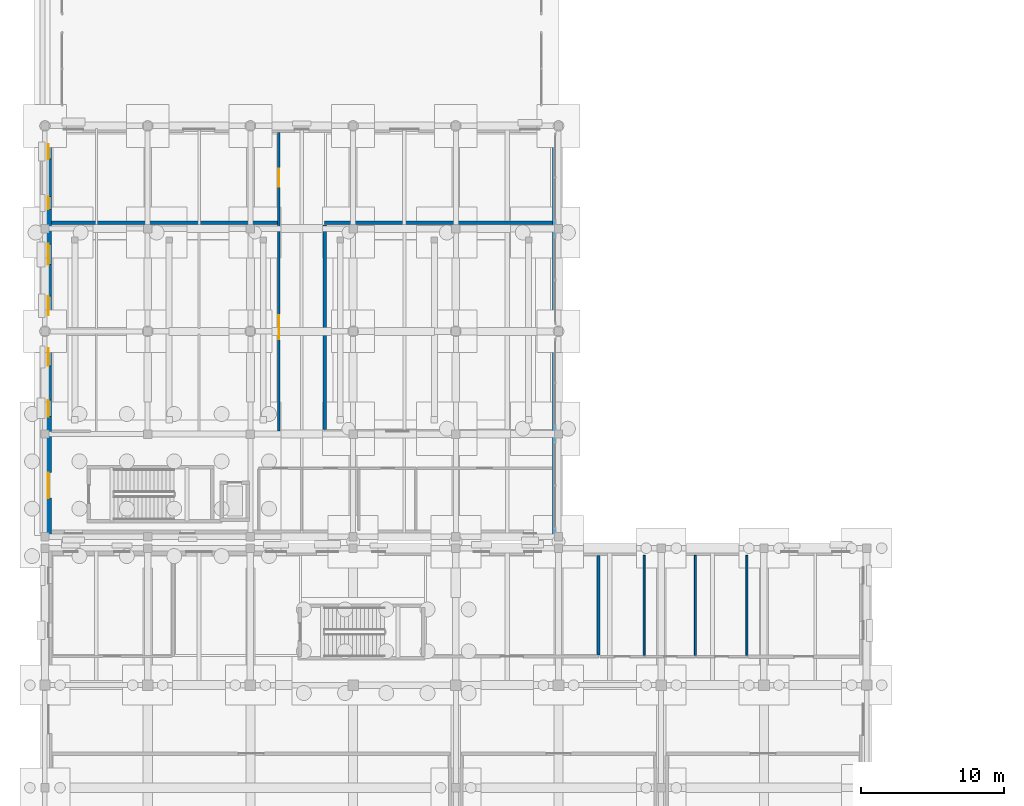
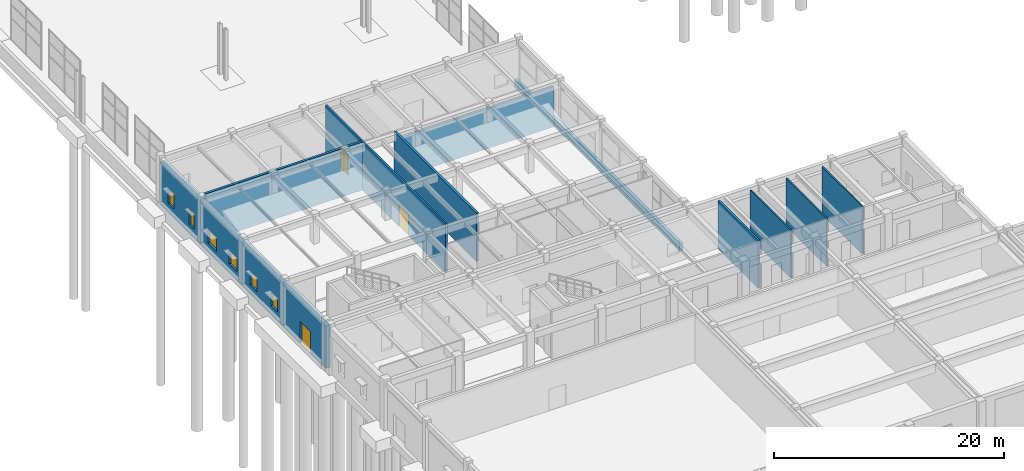
# One storey, part 68 of 91: 10 walls, 6 windows, 3 doors, 9 openings.
"""IFC4 building model written with IfcOpenShell, lengths in metres."""

import ifcopenshell
import ifcopenshell.guid

model = None  # the IFC model being written
_history = None  # IfcOwnerHistory: only IFC2X3 demands one
_inside = {}  # id of a spatial element -> (the spatial element, [elements in it])
_under = {}  # id of a project, library or spatial element -> (it, [spatial elements below it])
_declared = {}  # id of a project -> (the project, [libraries it declares])
_typed = {}  # id of a type object -> (the type object, [elements of that type])
_made_of = {}  # id of a material, layer set ... -> (it, [elements and type objects made of it])


def new_model(schema):
    """Start an empty IFC model of exactly this schema.

    Asked for "IFC4X3", IfcOpenShell would pick the latest addendum, in which some entities
    have other attributes; the version numbers below select the first issue.
    IFC2X3 requires an IfcOwnerHistory on every rooted entity: one is made here for all.
    """
    global model, _history
    if schema == "IFC4X3":
        model = ifcopenshell.file(schema_version=(4, 3, 0, 0))
    else:
        model = ifcopenshell.file(schema=schema)
    _inside.clear()
    _under.clear()
    _declared.clear()
    _typed.clear()
    _made_of.clear()
    _history = None
    if model.schema == "IFC2X3":
        org = make("IfcOrganization", Name="unknown")
        user = make(
            "IfcPersonAndOrganization",
            ThePerson=make("IfcPerson", FamilyName="unknown"),
            TheOrganization=org,
        )
        app = make(
            "IfcApplication",
            ApplicationDeveloper=org,
            Version="unknown",
            ApplicationFullName="unknown",
            ApplicationIdentifier="unknown",
        )
        _history = make(
            "IfcOwnerHistory",
            OwningUser=user,
            OwningApplication=app,
            ChangeAction="ADDED",
            CreationDate=0,
        )
    return model


def make(cls, **values):
    """One entity of the class cls with the attributes given. An attribute that is None is left unset."""
    return model.create_entity(
        cls, **{name: value for name, value in values.items() if value is not None}
    )


def rooted(cls, **values):
    """An entity with a GlobalId (a new one), such as an element, a storey or a relation."""
    return make(cls, GlobalId=ifcopenshell.guid.new(), OwnerHistory=_history, **values)


def si_unit(unit_type, name, prefix=None):
    """IfcSIUnit, for example si_unit("LENGTHUNIT", "METRE", prefix="MILLI")."""
    return make("IfcSIUnit", UnitType=unit_type, Prefix=prefix, Name=name)


def assignment(units):
    """IfcUnitAssignment: the units of a project."""
    return None if units is None else make("IfcUnitAssignment", Units=units)


def point(xyz):
    """IfcCartesianPoint."""
    return None if xyz is None else make("IfcCartesianPoint", Coordinates=xyz)


def direction(xyz):
    """IfcDirection."""
    return None if xyz is None else make("IfcDirection", DirectionRatios=xyz)


def frame(location, z_axis=None, x_axis=None):
    """IfcAxis2Placement3D, a coordinate frame: its origin and axes. An axis left out is left unset."""
    return make(
        "IfcAxis2Placement3D",
        Location=point(location),
        Axis=direction(z_axis),
        RefDirection=direction(x_axis),
    )


def frame_2d(location, x_axis=None):
    """IfcAxis2Placement2D, a coordinate frame in the plane: its origin and x axis."""
    return make(
        "IfcAxis2Placement2D", Location=point(location), RefDirection=direction(x_axis)
    )


def origin():
    """The frame at (0, 0, 0) with its axes left unset."""
    return frame((0.0, 0.0, 0.0))


def place(relative_to, where):
    """IfcLocalPlacement: puts the frame where relative to a parent placement (None: the world)."""
    return make(
        "IfcLocalPlacement", PlacementRelTo=relative_to, RelativePlacement=where
    )


def context(
    kind, dimensions, precision=None, world=None, true_north=None, identifier=None
):
    """IfcGeometricRepresentationContext, for example the 3D "Model" context."""
    return make(
        "IfcGeometricRepresentationContext",
        ContextIdentifier=identifier,
        ContextType=kind,
        CoordinateSpaceDimension=dimensions,
        Precision=precision,
        WorldCoordinateSystem=world,
        TrueNorth=true_north,
    )


def subcontext(parent, identifier, kind, view, scale=None):
    """IfcGeometricRepresentationSubContext, for example "Body" below "Model"."""
    return make(
        "IfcGeometricRepresentationSubContext",
        ContextIdentifier=identifier,
        ContextType=kind,
        ParentContext=parent,
        TargetScale=scale,
        TargetView=view,
    )


def project(units=None, contexts=None):
    """IfcProject with its units and contexts."""
    return rooted(
        "IfcProject",
        Name="project",
        RepresentationContexts=contexts,
        UnitsInContext=assignment(units),
    )


def spatial(cls, under=None, at=None, **own):
    """A site, building, storey or space (cls), placed at a placement, below another one or the project."""
    s = rooted(cls, ObjectPlacement=at, **own)
    if under is not None:
        _under.setdefault(under.id(), (under, []))[1].append(s)
    return s


def profile(cls, at=None, kind="AREA", **sizes):
    """A parametric profile (cls). Its sizes go by their IFC names, for example OverallWidth=200.0."""
    return make(cls, ProfileType=kind, Position=at, **sizes)


def rectangle(**sizes):
    """IfcRectangleProfileDef."""
    return profile("IfcRectangleProfileDef", **sizes)


def extrude(swept, where, along, depth):
    """IfcExtrudedAreaSolid: the profile swept, set in the frame where, extruded along a direction by depth."""
    return make(
        "IfcExtrudedAreaSolid",
        SweptArea=swept,
        Position=where,
        ExtrudedDirection=direction(along),
        Depth=depth,
    )


def shape(context_of_items, identifier, shape_type, items):
    """IfcShapeRepresentation: the items that make up one representation, for example the "Body"."""
    return make(
        "IfcShapeRepresentation",
        ContextOfItems=context_of_items,
        RepresentationIdentifier=identifier,
        RepresentationType=shape_type,
        Items=items,
    )


def material(Name=None, Category=None):
    """IfcMaterial."""
    return make("IfcMaterial", Name=Name, Category=Category)


def layer(
    of_material, thickness, ventilated=None, Name=None, Category=None, Priority=None
):
    """IfcMaterialLayer: one layer of a wall or slab, of a material (None: an air gap)."""
    return make(
        "IfcMaterialLayer",
        Material=of_material,
        LayerThickness=thickness,
        IsVentilated=ventilated,
        Name=Name,
        Category=Category,
        Priority=Priority,
    )


def layer_set(layers, Name=None):
    """IfcMaterialLayerSet."""
    return make("IfcMaterialLayerSet", MaterialLayers=layers, LayerSetName=Name)


def made_of(thing, what):
    """Note that an element or type object is made of a material, layer set ...; save() writes the relation."""
    if what is not None:
        _made_of.setdefault(what.id(), (what, []))[1].append(thing)
    return thing


def type_object(cls, material=None, **own):
    """A type object (cls), such as IfcWallType, which elements share."""
    return made_of(rooted(cls, **own), material)


def element(
    cls,
    number,
    at=None,
    inside=None,
    cuts=None,
    type_object=None,
    material=None,
    context=None,
    identifier="Body",
    shape_type=None,
    held_by="IfcProductDefinitionShape",
    body=None,
    shapes=None,
    **own,
):
    """One element of the class cls, such as IfcWall. Its Tag is "e" and its number.

    at: its placement. inside: the storey or other place that contains it. cuts: it is an
    opening in that element (IfcRelVoidsElement). A single representation is given by context,
    identifier, shape_type and body (its items); several are given by shapes. held_by: the class
    of the entity that holds the representations. save() writes the other relations.
    """
    e = rooted(cls, Tag="e%d" % number, ObjectPlacement=at, **own)
    if body is not None:
        shapes = [shape(context, identifier, shape_type, body)]
    if shapes is not None:
        e.Representation = make(held_by, Representations=shapes)
    if inside is not None:
        _inside.setdefault(inside.id(), (inside, []))[1].append(e)
    if cuts is not None:
        rooted(
            "IfcRelVoidsElement", RelatingBuildingElement=cuts, RelatedOpeningElement=e
        )
    if type_object is not None:
        _typed.setdefault(type_object.id(), (type_object, []))[1].append(e)
    return made_of(e, material)


def fill(opening, filler):
    """IfcRelFillsElement: the door or window that sits in an opening."""
    return rooted(
        "IfcRelFillsElement",
        RelatingOpeningElement=opening,
        RelatedBuildingElement=filler,
    )


def aggregate(whole, parts):
    """IfcRelAggregates: a whole, such as a stair, and the parts it consists of."""
    return rooted("IfcRelAggregates", RelatingObject=whole, RelatedObjects=parts)


def save(model, path):
    """Write the relations noted so far, then the file.

    IfcRelAggregates (storeys below a building ...), IfcRelContainedInSpatialStructure (elements
    in a storey), IfcRelDefinesByType, IfcRelAssociatesMaterial and IfcRelDeclares: one each for
    every whole, place, type object, material and project.
    """
    for whole, parts in _under.values():
        aggregate(whole, parts)
    for where, things in _inside.values():
        rooted(
            "IfcRelContainedInSpatialStructure",
            RelatedElements=things,
            RelatingStructure=where,
        )
    for kind, things in _typed.values():
        rooted("IfcRelDefinesByType", RelatedObjects=things, RelatingType=kind)
    for what, things in _made_of.values():
        rooted("IfcRelAssociatesMaterial", RelatedObjects=things, RelatingMaterial=what)
    for by, libraries in _declared.values():
        rooted("IfcRelDeclares", RelatingContext=by, RelatedDefinitions=libraries)
    model.write(path)


model = new_model("IFC4")

# Units and contexts
model_context = context("Model", 3, precision=1e-05, world=origin(), true_north=direction((0.0, 1.0)))
body_context = subcontext(model_context, "Body", "Model", "MODEL_VIEW")
ifc_project = project(units=[si_unit("LENGTHUNIT", "METRE"), si_unit("AREAUNIT", "SQUARE_METRE"), si_unit("VOLUMEUNIT", "CUBIC_METRE"), si_unit("PLANEANGLEUNIT", "RADIAN"), si_unit("MASSUNIT", "GRAM", prefix="KILO")], contexts=[model_context])

# Site, building, storey
site_placement = place(None, origin())
site = spatial("IfcSite", under=ifc_project, at=site_placement, CompositionType="ELEMENT")
building_placement = place(site_placement, origin())
building = spatial("IfcBuilding", under=site, at=building_placement, Name="Bramveld Media Centre", CompositionType="ELEMENT")
storey_placement = place(building_placement, origin())
storey = spatial("IfcBuildingStorey", under=building, at=storey_placement, Name="L00", CompositionType="ELEMENT", Elevation=0.0)

# Wall
ifc_material_1 = material(Name="Perforated acoustic brick-faced insulated spandrel wall", Category="masonry")
ifc_layer_1 = layer(ifc_material_1, 0.35009765625)
ifc_layer_set_1 = layer_set([ifc_layer_1], Name="Perforated acoustic brick-faced insulated spandrel wall")
wall_type_1 = type_object("IfcWallType", Name="EW-BRK-350", PredefinedType="SOLIDWALL", material=ifc_layer_set_1)
wall_1_placement = place(storey_placement, frame((35.77001953125, 68.0, 0.0), z_axis=(0.0, 0.0, 1.0), x_axis=(0.0, -1.0, 0.0)))
element("IfcWall", 1, at=wall_1_placement, inside=storey, type_object=wall_type_1, Name="V3 L00 E masonry spandrel sill wall", PredefinedType="SOLIDWALL", context=body_context, shape_type="SweptSolid", body=[
    extrude(rectangle(XDim=28.800048828125, YDim=0.35009765625, at=frame_2d((14.39990234375, 0.0))), origin(), (0.0, 0.0, 1.0), 0.85009765625),
])

# Wall, openings, door, windows
ifc_material_2 = material(Name="Flemish red-brown clay facing brick cavity wall with concrete C35/45 inner leaf", Category="masonry")
ifc_layer_2 = layer(ifc_material_2, 0.4599609375)
ifc_layer_set_2 = layer_set([ifc_layer_2], Name="Flemish red-brown clay facing brick cavity wall with concrete C35/45 inner leaf")
wall_type_2 = type_object("IfcWallType", Name="EW-BRK-460", PredefinedType="SOLIDWALL", material=ifc_layer_set_2)
wall_2_placement = place(storey_placement, frame((0.22998046875, 39.199951171875, 0.0), z_axis=(0.0, 0.0, 1.0), x_axis=(0.0, 1.0, 0.0)))
wall_2 = element("IfcWall", 2, at=wall_2_placement, inside=storey, type_object=wall_type_2, Name="V3 L00 W facing brick exterior wall", PredefinedType="SOLIDWALL", context=body_context, shape_type="SweptSolid", body=[
    extrude(rectangle(XDim=28.800048828125, YDim=0.4599609375, at=frame_2d((14.39990234375, 0.0))), origin(), (0.0, 0.0, 1.0), 4.534912109375),
])
opening_1_placement = place(wall_2_placement, frame((2.699951171875, 0.0, 0.0)))
opening_1 = element("IfcOpeningElement", 3, at=opening_1_placement, cuts=wall_2, Name="Opening ED-18", PredefinedType="OPENING", context=body_context, shape_type="SweptSolid", body=[
    extrude(rectangle(XDim=1.800048828125, YDim=2.300048828125, at=frame_2d((0.89990234375, 1.14990234375))), frame((0.0, 0.241943359375, 0.0), z_axis=(0.0, -1.0, 0.0), x_axis=(1.0, 0.0, 0.0)), (0.0, 0.0, 1.0), 0.48388671875),
])
opening_2_placement = place(wall_2_placement, frame((8.425048828125, 0.0, 0.89990234375)))
opening_2 = element("IfcOpeningElement", 4, at=opening_2_placement, cuts=wall_2, Name="Opening W-09", PredefinedType="OPENING", context=body_context, shape_type="SweptSolid", body=[
    extrude(rectangle(XDim=1.14990234375, YDim=1.449951171875, at=frame_2d((0.574951171875, 0.72509765625))), frame((0.0, 0.241943359375, 0.0), z_axis=(0.0, -1.0, 0.0), x_axis=(1.0, 0.0, 0.0)), (0.0, 0.0, 1.0), 0.48388671875),
])
opening_3_placement = place(wall_2_placement, frame((11.97509765625, 0.0, 0.89990234375)))
opening_3 = element("IfcOpeningElement", 5, at=opening_3_placement, cuts=wall_2, Name="Opening W-10", PredefinedType="OPENING", context=body_context, shape_type="SweptSolid", body=[
    extrude(rectangle(XDim=1.25, YDim=1.449951171875, at=frame_2d((0.625, 0.72509765625))), frame((0.0, 0.241943359375, 0.0), z_axis=(0.0, -1.0, 0.0), x_axis=(1.0, 0.0, 0.0)), (0.0, 0.0, 1.0), 0.48388671875),
])
opening_4_placement = place(wall_2_placement, frame((15.52490234375, 0.0, 0.89990234375)))
opening_4 = element("IfcOpeningElement", 6, at=opening_4_placement, cuts=wall_2, Name="Opening W-11", PredefinedType="OPENING", context=body_context, shape_type="SweptSolid", body=[
    extrude(rectangle(XDim=1.35009765625, YDim=1.449951171875, at=frame_2d((0.675048828125, 0.72509765625))), frame((0.0, 0.241943359375, 0.0), z_axis=(0.0, -1.0, 0.0), x_axis=(1.0, 0.0, 0.0)), (0.0, 0.0, 1.0), 0.48388671875),
])
opening_5_placement = place(wall_2_placement, frame((19.074951171875, 0.0, 0.89990234375)))
opening_5 = element("IfcOpeningElement", 7, at=opening_5_placement, cuts=wall_2, Name="Opening W-12", PredefinedType="OPENING", context=body_context, shape_type="SweptSolid", body=[
    extrude(rectangle(XDim=1.449951171875, YDim=1.449951171875, at=frame_2d((0.72509765625, 0.72509765625))), frame((0.0, 0.241943359375, 0.0), z_axis=(0.0, -1.0, 0.0), x_axis=(1.0, 0.0, 0.0)), (0.0, 0.0, 1.0), 0.48388671875),
])
opening_6_placement = place(wall_2_placement, frame((22.949951171875, 0.0, 0.89990234375)))
opening_6 = element("IfcOpeningElement", 8, at=opening_6_placement, cuts=wall_2, Name="Opening W-13", PredefinedType="OPENING", context=body_context, shape_type="SweptSolid", body=[
    extrude(rectangle(XDim=0.89990234375, YDim=1.60009765625, at=frame_2d((0.449951171875, 0.800048828125))), frame((0.0, 0.241943359375, 0.0), z_axis=(0.0, -1.0, 0.0), x_axis=(1.0, 0.0, 0.0)), (0.0, 0.0, 1.0), 0.48388671875),
])
opening_7_placement = place(wall_2_placement, frame((26.47509765625, 0.0, 0.89990234375)))
opening_7 = element("IfcOpeningElement", 9, at=opening_7_placement, cuts=wall_2, Name="Opening W-14", PredefinedType="OPENING", context=body_context, shape_type="SweptSolid", body=[
    extrude(rectangle(XDim=1.050048828125, YDim=1.60009765625, at=frame_2d((0.52490234375, 0.800048828125))), frame((0.0, 0.241943359375, 0.0), z_axis=(0.0, -1.0, 0.0), x_axis=(1.0, 0.0, 0.0)), (0.0, 0.0, 1.0), 0.48388671875),
])
ifc_material_3 = material(Name="Insulated powder-coated bronze aluminium & laminated safety glass door", Category="aluminium")
door_type_1 = type_object("IfcDoorType", Name="DR-EXT-1800", OperationType="NOTDEFINED", PredefinedType="DOOR", material=ifc_material_3)
door_1_placement = place(opening_1_placement, origin())
door_1 = element("IfcDoor", 10, at=door_1_placement, inside=storey, type_object=door_type_1, Name="Exterior door ED-18", OperationType="DOUBLE_DOOR_SINGLE_SWING", OverallHeight=2.300048828125, OverallWidth=1.800048828125, PredefinedType="DOOR", context=body_context, shape_type="SweptSolid", body=[
    extrude(rectangle(XDim=1.800048828125, YDim=2.300048828125, at=frame_2d((0.89990234375, 1.14990234375))), frame((0.0, 0.02490234375, 0.0), z_axis=(0.0, -1.0, 0.0), x_axis=(1.0, 0.0, 0.0)), (0.0, 0.0, 1.0), 0.050048828125),
])
fill(opening_1, door_1)
ifc_material_4 = material(Name="Thermally broken anodized bronze aluminium frame with triple acoustic glazing", Category="aluminium")
window_type_1 = type_object("IfcWindowType", Name="WIN-FAC-09", PartitioningType="SINGLE_PANEL", PredefinedType="WINDOW", material=ifc_material_4)
window_1_placement = place(opening_2_placement, origin())
window_1 = element("IfcWindow", 11, at=window_1_placement, inside=storey, type_object=window_type_1, Name="V3 L00 W acoustic facade window", OverallHeight=1.449951171875, OverallWidth=1.14990234375, PartitioningType="SINGLE_PANEL", PredefinedType="WINDOW", context=body_context, shape_type="SweptSolid", body=[
    extrude(rectangle(XDim=1.14990234375, YDim=1.449951171875, at=frame_2d((0.574951171875, 0.72509765625))), frame((0.0, 0.030029296875, 0.0), z_axis=(0.0, -1.0, 0.0), x_axis=(1.0, 0.0, 0.0)), (0.0, 0.0, 1.0), 0.06005859375),
])
fill(opening_2, window_1)
ifc_material_5 = material(Name="Thermally broken anodized bronze aluminium frame with triple acoustic glazing", Category="aluminium")
window_type_2 = type_object("IfcWindowType", Name="WIN-FAC-10", PartitioningType="SINGLE_PANEL", PredefinedType="WINDOW", material=ifc_material_5)
window_2_placement = place(opening_3_placement, origin())
window_2 = element("IfcWindow", 12, at=window_2_placement, inside=storey, type_object=window_type_2, Name="V3 L00 W acoustic facade window", OverallHeight=1.449951171875, OverallWidth=1.25, PartitioningType="SINGLE_PANEL", PredefinedType="WINDOW", context=body_context, shape_type="SweptSolid", body=[
    extrude(rectangle(XDim=1.25, YDim=1.449951171875, at=frame_2d((0.625, 0.72509765625))), frame((0.0, 0.030029296875, 0.0), z_axis=(0.0, -1.0, 0.0), x_axis=(1.0, 0.0, 0.0)), (0.0, 0.0, 1.0), 0.06005859375),
])
fill(opening_3, window_2)
ifc_material_6 = material(Name="Thermally broken anodized bronze aluminium frame with triple acoustic glazing", Category="aluminium")
window_type_3 = type_object("IfcWindowType", Name="WIN-FAC-11", PartitioningType="SINGLE_PANEL", PredefinedType="WINDOW", material=ifc_material_6)
window_3_placement = place(opening_4_placement, origin())
window_3 = element("IfcWindow", 13, at=window_3_placement, inside=storey, type_object=window_type_3, Name="V3 L00 W acoustic facade window", OverallHeight=1.449951171875, OverallWidth=1.35009765625, PartitioningType="SINGLE_PANEL", PredefinedType="WINDOW", context=body_context, shape_type="SweptSolid", body=[
    extrude(rectangle(XDim=1.35009765625, YDim=1.449951171875, at=frame_2d((0.675048828125, 0.72509765625))), frame((0.0, 0.030029296875, 0.0), z_axis=(0.0, -1.0, 0.0), x_axis=(1.0, 0.0, 0.0)), (0.0, 0.0, 1.0), 0.06005859375),
])
fill(opening_4, window_3)
ifc_material_7 = material(Name="Thermally broken anodized bronze aluminium frame with triple acoustic glazing", Category="aluminium")
window_type_4 = type_object("IfcWindowType", Name="WIN-FAC-12", PartitioningType="SINGLE_PANEL", PredefinedType="WINDOW", material=ifc_material_7)
window_4_placement = place(opening_5_placement, origin())
window_4 = element("IfcWindow", 14, at=window_4_placement, inside=storey, type_object=window_type_4, Name="V3 L00 W acoustic facade window", OverallHeight=1.449951171875, OverallWidth=1.449951171875, PartitioningType="SINGLE_PANEL", PredefinedType="WINDOW", context=body_context, shape_type="SweptSolid", body=[
    extrude(rectangle(XDim=1.449951171875, YDim=1.449951171875, at=frame_2d((0.72509765625, 0.72509765625))), frame((0.0, 0.030029296875, 0.0), z_axis=(0.0, -1.0, 0.0), x_axis=(1.0, 0.0, 0.0)), (0.0, 0.0, 1.0), 0.06005859375),
])
fill(opening_5, window_4)
ifc_material_8 = material(Name="Thermally broken anodized bronze aluminium frame with triple acoustic glazing", Category="aluminium")
window_type_5 = type_object("IfcWindowType", Name="WIN-FAC-13", PartitioningType="SINGLE_PANEL", PredefinedType="WINDOW", material=ifc_material_8)
window_5_placement = place(opening_6_placement, origin())
window_5 = element("IfcWindow", 15, at=window_5_placement, inside=storey, type_object=window_type_5, Name="V3 L00 W acoustic facade window", OverallHeight=1.60009765625, OverallWidth=0.89990234375, PartitioningType="SINGLE_PANEL", PredefinedType="WINDOW", context=body_context, shape_type="SweptSolid", body=[
    extrude(rectangle(XDim=0.89990234375, YDim=1.60009765625, at=frame_2d((0.449951171875, 0.800048828125))), frame((0.0, 0.030029296875, 0.0), z_axis=(0.0, -1.0, 0.0), x_axis=(1.0, 0.0, 0.0)), (0.0, 0.0, 1.0), 0.06005859375),
])
fill(opening_6, window_5)
ifc_material_9 = material(Name="Thermally broken anodized bronze aluminium frame with triple acoustic glazing", Category="aluminium")
window_type_6 = type_object("IfcWindowType", Name="WIN-FAC-14", PartitioningType="SINGLE_PANEL", PredefinedType="WINDOW", material=ifc_material_9)
window_6_placement = place(opening_7_placement, origin())
window_6 = element("IfcWindow", 16, at=window_6_placement, inside=storey, type_object=window_type_6, Name="V3 L00 W acoustic facade window", OverallHeight=1.60009765625, OverallWidth=1.050048828125, PartitioningType="SINGLE_PANEL", PredefinedType="WINDOW", context=body_context, shape_type="SweptSolid", body=[
    extrude(rectangle(XDim=1.050048828125, YDim=1.60009765625, at=frame_2d((0.52490234375, 0.800048828125))), frame((0.0, 0.030029296875, 0.0), z_axis=(0.0, -1.0, 0.0), x_axis=(1.0, 0.0, 0.0)), (0.0, 0.0, 1.0), 0.06005859375),
])
fill(opening_7, window_6)

# Walls
ifc_material_10 = material(Name="Acoustic calcium-silicate & mineral-wool compartment partition", Category="masonry")
ifc_layer_3 = layer(ifc_material_10, 0.199951171875)
ifc_layer_set_3 = layer_set([ifc_layer_3], Name="Acoustic calcium-silicate & mineral-wool compartment partition")
wall_type_3 = type_object("IfcWallType", Name="IW-ACOU-200", PredefinedType="PARTITIONING", material=ifc_layer_set_3)
wall_3_placement = place(storey_placement, frame((38.800048828125, 30.909912109375, 0.0), z_axis=(0.0, 0.0, 1.0), x_axis=(0.0, 1.0, 0.0)))
element("IfcWall", 17, at=wall_3_placement, inside=storey, type_object=wall_type_3, Name="Wardrobe & Make-Up Suite partition wall", PredefinedType="PARTITIONING", context=body_context, shape_type="SweptSolid", body=[
    extrude(rectangle(XDim=6.97998046875, YDim=0.199951171875, at=frame_2d((3.489990234375, 0.0))), origin(), (0.0, 0.0, 1.0), 5.10009765625),
])
ifc_material_11 = material(Name="Double-stud acoustic gypsum & mineral-wool studio wall", Category="gypsum")
ifc_layer_4 = layer(ifc_material_11, 0.239990234375)
ifc_layer_set_4 = layer_set([ifc_layer_4], Name="Double-stud acoustic gypsum & mineral-wool studio wall")
wall_type_4 = type_object("IfcWallType", Name="IW-ACOU-240", PredefinedType="PARTITIONING", material=ifc_layer_set_4)
wall_4_placement = place(storey_placement, frame((0.469970703125, 61.199951171875, 0.0), z_axis=(0.0, 0.0, 1.0), x_axis=(1.0, 0.0, 0.0)))
element("IfcWall", 18, at=wall_4_placement, inside=storey, type_object=wall_type_4, Name="Cinema 3 Repertory Auditorium partition wall", PredefinedType="PARTITIONING", context=body_context, shape_type="SweptSolid", body=[
    extrude(rectangle(XDim=15.830078125, YDim=0.239990234375, at=frame_2d((7.9150390625, 0.0))), origin(), (0.0, 0.0, 1.0), 5.139892578125),
])
wall_5_placement = place(storey_placement, frame((19.60009765625, 61.199951171875, 0.0), z_axis=(0.0, 0.0, 1.0), x_axis=(1.0, 0.0, 0.0)))
element("IfcWall", 19, at=wall_5_placement, inside=storey, type_object=wall_type_4, Name="Cinema 4 Documentary Auditorium partition wall", PredefinedType="PARTITIONING", context=body_context, shape_type="SweptSolid", body=[
    extrude(rectangle(XDim=15.98486328125, YDim=0.239990234375, at=frame_2d((7.992431640625, 0.0))), origin(), (0.0, 0.0, 1.0), 4.264892578125),
])
wall_6_placement = place(storey_placement, frame((19.60009765625, 46.72998046875, 0.0), z_axis=(0.0, 0.0, 1.0), x_axis=(0.0, 1.0, 0.0)))
element("IfcWall", 20, at=wall_6_placement, inside=storey, type_object=wall_type_4, Name="Cinema 4 Documentary Auditorium partition wall", PredefinedType="PARTITIONING", context=body_context, shape_type="SweptSolid", body=[
    extrude(rectangle(XDim=14.340087890625, YDim=0.239990234375, at=frame_2d((7.169921875, 0.0))), origin(), (0.0, 0.0, 1.0), 5.139892578125),
])

# Wall, openings, doors
ifc_material_12 = material(Name="Fire-rated twin-frame gypsum corridor wall", Category="gypsum")
ifc_layer_5 = layer(ifc_material_12, 0.179931640625)
ifc_layer_set_5 = layer_set([ifc_layer_5], Name="Fire-rated twin-frame gypsum corridor wall")
wall_type_5 = type_object("IfcWallType", Name="IW-FIRE-180", PredefinedType="PARTITIONING", material=ifc_layer_set_5)
wall_7_placement = place(storey_placement, frame((16.39990234375, 46.60009765625, 0.0), z_axis=(0.0, 0.0, 1.0), x_axis=(0.0, 1.0, 0.0)))
wall_7 = element("IfcWall", 21, at=wall_7_placement, inside=storey, type_object=wall_type_5, Name="Repertory North Hall Vestibule partition wall", PredefinedType="PARTITIONING", context=body_context, shape_type="SweptSolid", body=[
    extrude(rectangle(XDim=20.929931640625, YDim=0.179931640625, at=frame_2d((10.46484375, 0.0))), origin(), (0.0, 0.0, 1.0), 5.139892578125),
])
opening_8_placement = place(wall_7_placement, frame((6.4599609375, 0.0, 0.0)))
opening_8 = element("IfcOpeningElement", 22, at=opening_8_placement, cuts=wall_7, Name="Opening D-00-017", PredefinedType="OPENING", context=body_context, shape_type="SweptSolid", body=[
    extrude(rectangle(XDim=1.679931640625, YDim=2.300048828125, at=frame_2d((0.83984375, 1.14990234375))), frame((0.0, 0.10205078125, 0.0), z_axis=(0.0, -1.0, 0.0), x_axis=(1.0, 0.0, 0.0)), (0.0, 0.0, 1.0), 0.203857421875),
])
opening_9_placement = place(wall_7_placement, frame((17.125, 0.0, 0.0)))
opening_9 = element("IfcOpeningElement", 23, at=opening_9_placement, cuts=wall_7, Name="Opening D-00-019", PredefinedType="OPENING", context=body_context, shape_type="SweptSolid", body=[
    extrude(rectangle(XDim=1.280029296875, YDim=2.199951171875, at=frame_2d((0.64013671875, 1.10009765625))), frame((0.0, 0.10205078125, 0.0), z_axis=(0.0, -1.0, 0.0), x_axis=(1.0, 0.0, 0.0)), (0.0, 0.0, 1.0), 0.203857421875),
])
ifc_material_13 = material(Name="Fire-rated acoustic timber & steel composite door", Category="steel")
door_type_2 = type_object("IfcDoorType", Name="DR-HALL-1680", OperationType="NOTDEFINED", PredefinedType="DOOR", material=ifc_material_13)
door_2_placement = place(opening_8_placement, origin())
door_2 = element("IfcDoor", 24, at=door_2_placement, inside=storey, type_object=door_type_2, Name="Cinema 3 Repertory Auditorium entrance door", OperationType="DOUBLE_DOOR_SINGLE_SWING", OverallHeight=2.300048828125, OverallWidth=1.679931640625, PredefinedType="DOOR", context=body_context, shape_type="SweptSolid", body=[
    extrude(rectangle(XDim=1.679931640625, YDim=2.300048828125, at=frame_2d((0.83984375, 1.14990234375))), frame((0.0, 0.02490234375, 0.0), z_axis=(0.0, -1.0, 0.0), x_axis=(1.0, 0.0, 0.0)), (0.0, 0.0, 1.0), 0.050048828125),
])
fill(opening_8, door_2)
ifc_material_14 = material(Name="Fire-rated acoustic timber & steel composite door", Category="steel")
door_type_3 = type_object("IfcDoorType", Name="DR-STU-1280", OperationType="NOTDEFINED", PredefinedType="DOOR", material=ifc_material_14)
door_3_placement = place(opening_9_placement, origin())
door_3 = element("IfcDoor", 25, at=door_3_placement, inside=storey, type_object=door_type_3, Name="Park Colonnade Cafe & Bar entrance door", OperationType="SINGLE_SWING_RIGHT", OverallHeight=2.199951171875, OverallWidth=1.280029296875, PredefinedType="DOOR", context=body_context, shape_type="SweptSolid", body=[
    extrude(rectangle(XDim=1.280029296875, YDim=2.199951171875, at=frame_2d((0.64013671875, 1.10009765625))), frame((0.0, 0.02490234375, 0.0), z_axis=(0.0, -1.0, 0.0), x_axis=(1.0, 0.0, 0.0)), (0.0, 0.0, 1.0), 0.050048828125),
])
fill(opening_9, door_3)

# Walls
ifc_material_15 = material(Name="Moisture-resistant cement-board sanitary partition", Category="gypsum")
ifc_layer_6 = layer(ifc_material_15, 0.139892578125)
ifc_layer_set_6 = layer_set([ifc_layer_6], Name="Moisture-resistant cement-board sanitary partition")
wall_type_6 = type_object("IfcWallType", Name="IW-WET-140", PredefinedType="PARTITIONING", material=ifc_layer_set_6)
for number, where, z_axis, x_axis, name in (
    (26, (42.0, 30.8798828125, 0.0), (0.0, 0.0, 1.0), (0.0, 1.0, 0.0), "Accessible WC partition wall"),
    (27, (45.60009765625, 30.8798828125, 0.0), (0.0, 0.0, 1.0), (0.0, 1.0, 0.0), "Male WC partition wall"),
    (28, (49.199951171875, 30.8798828125, 0.0), (0.0, 0.0, 1.0), (0.0, 1.0, 0.0), "Female WC partition wall"),
):
    element("IfcWall", number, at=place(storey_placement, frame(where, z_axis=z_axis, x_axis=x_axis)), inside=storey, type_object=wall_type_6, Name=name, PredefinedType="PARTITIONING", context=body_context, shape_type="SweptSolid", body=[
        extrude(rectangle(XDim=7.010009765625, YDim=0.139892578125, at=frame_2d((3.5048828125, 0.0))), origin(), (0.0, 0.0, 1.0), 5.10009765625),
    ])

save(model, "model.ifc")
